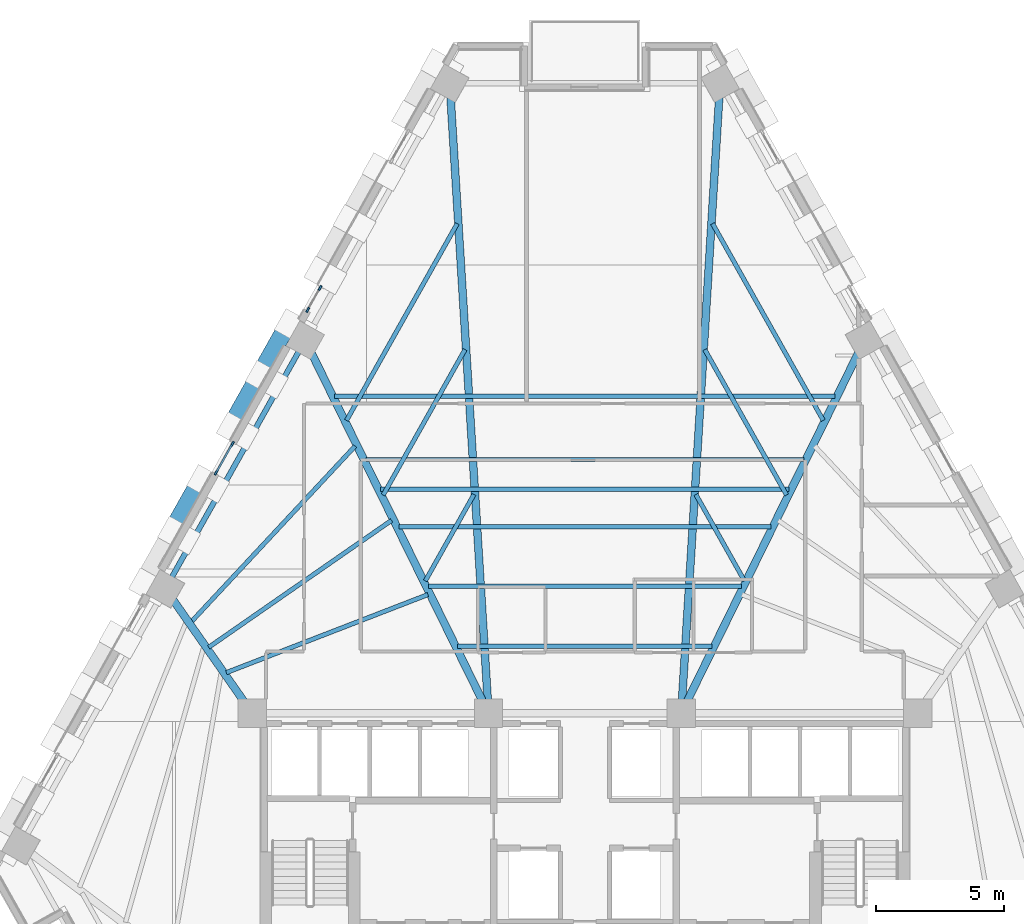
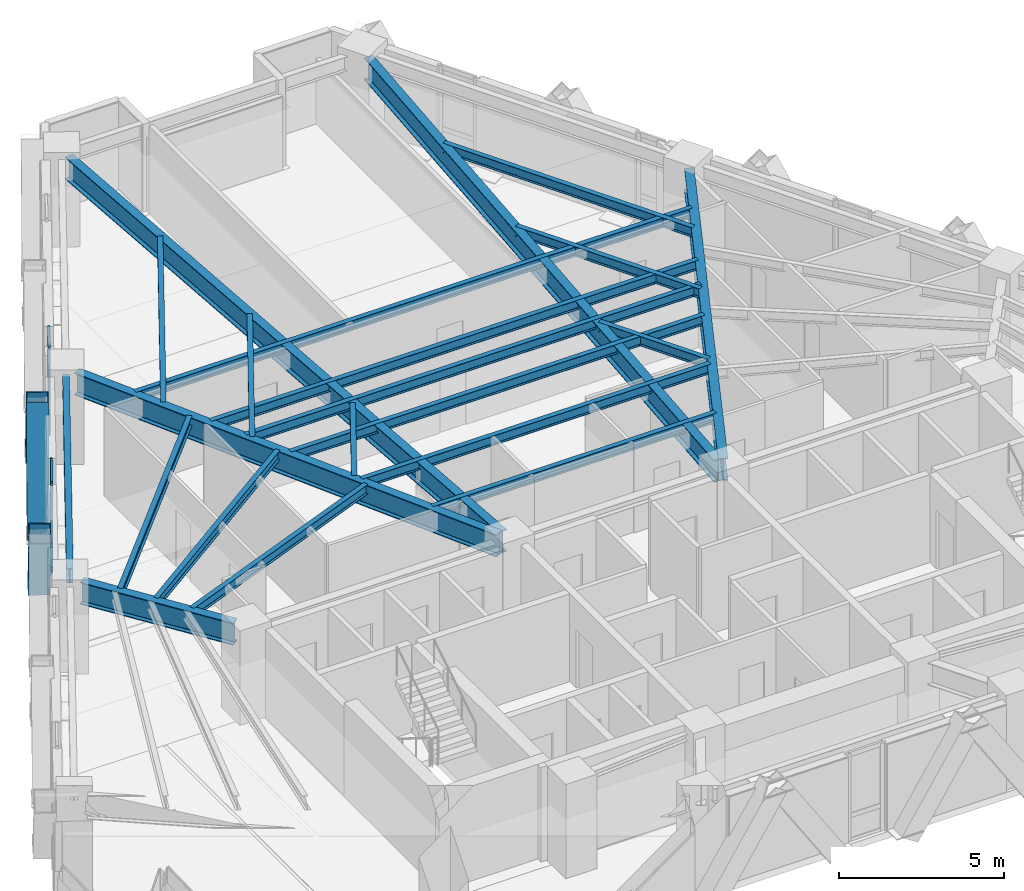
# One storey, part 3 of 13: 21 beams, 10 members, 2 elements without a shape of their own.
"""IFC4 building model written with IfcOpenShell, lengths in metres."""

from ifc_helpers import new_model, si_unit, direction, frame, origin, origin_2d, place, context, subcontext, project, spatial, rectangle, hollow_rectangle, i_section, extrude, material, material_profile, profile_set, type_object, element, aggregate, save


model = new_model("IFC4")

# Units and contexts
model_context = context("Model", 3, precision=1e-05, world=origin(), true_north=direction((0.0, 1.0)))
body_context = subcontext(model_context, "Body", "Model", "MODEL_VIEW")
ifc_project = project(units=[si_unit("LENGTHUNIT", "METRE"), si_unit("AREAUNIT", "SQUARE_METRE"), si_unit("VOLUMEUNIT", "CUBIC_METRE"), si_unit("PLANEANGLEUNIT", "RADIAN"), si_unit("MASSUNIT", "GRAM", prefix="KILO")], contexts=[model_context])

# Site, building, storey
site_placement = place(None, origin())
site = spatial("IfcSite", under=ifc_project, at=site_placement, CompositionType="ELEMENT")
building_placement = place(site_placement, origin())
building = spatial("IfcBuilding", under=site, at=building_placement, Name="Quenlor Broadcast Tower", CompositionType="ELEMENT")
storey_placement = place(building_placement, frame((0.0, 0.0, 95.0)))
storey = spatial("IfcBuildingStorey", under=building, at=storey_placement, Name="L25", CompositionType="ELEMENT", Elevation=95.0)

# Curtain wall, members
ifc_material_1 = material(Name="Architectural Terracotta and Low-E Glazing", Category="masonry")
curtain_wall_type = type_object("IfcCurtainWallType", Name="Unitised Terracotta Curtain Wall System Z2", PredefinedType="NOTDEFINED", material=ifc_material_1)
curtain_wall_1_placement = place(storey_placement, origin())
curtain_wall_1 = element("IfcCurtainWall", 1, at=curtain_wall_1_placement, inside=storey, type_object=curtain_wall_type, Name="L25 Curtain Wall CW2 (L25-NWC-G1)", PredefinedType="NOTDEFINED")
ifc_material_2 = material(Name="Aluminium 6063-T6", Category="aluminium")
ifc_material_profile_1 = material_profile(ifc_material_2, rectangle(XDim=0.074951171875, YDim=0.199951171875, at=origin_2d()))
ifc_profile_set_1 = profile_set([ifc_material_profile_1], Name="Aluminium 6063-T6 MULL75x200")
member_type_1 = type_object("IfcMemberType", Name="CW2 Aluminium Mullion MULL_CW2", PredefinedType="MULLION", material=ifc_profile_set_1)
member_1_placement = place(storey_placement, frame((-10.7880859375, 10.894775390625, 0.0), z_axis=(0.0, 0.0, 1.0), x_axis=(-0.871580587336, 0.490252261371, 0.0)))
member_1 = element("IfcMember", 2, at=member_1_placement, type_object=member_type_1, Name="CW2 mullion 1", PredefinedType="MULLION", context=body_context, shape_type="SweptSolid", body=[
    extrude(rectangle(XDim=0.074951171875, YDim=0.199951171875, at=origin_2d()), origin(), (0.0, 0.0, 1.0), 3.25),
])
member_2_placement = place(storey_placement, frame((-10.306396484375, 11.751220703125, 0.0), z_axis=(0.0, 0.0, 1.0), x_axis=(-0.871580587336, 0.490252261371, 0.0)))
member_2 = element("IfcMember", 3, at=member_2_placement, type_object=member_type_1, Name="CW2 mullion 2", PredefinedType="MULLION", context=body_context, shape_type="SweptSolid", body=[
    extrude(rectangle(XDim=0.074951171875, YDim=0.199951171875, at=origin_2d()), origin(), (0.0, 0.0, 1.0), 3.25),
])
aggregate(curtain_wall_1, [member_1, member_2])

curtain_wall_2_placement = place(storey_placement, origin())
curtain_wall_2 = element("IfcCurtainWall", 4, at=curtain_wall_2_placement, inside=storey, type_object=curtain_wall_type, Name="L25 Curtain Wall CW2 (L25-NW-G1)", PredefinedType="NOTDEFINED")
member_3_placement = place(storey_placement, frame((-14.3515625, 4.559814453125, 0.0), z_axis=(0.0, 0.0, 1.0), x_axis=(-0.871579452423, 0.490254279037, 0.0)))
member_3 = element("IfcMember", 5, at=member_3_placement, type_object=member_type_1, Name="CW2 mullion 1", PredefinedType="MULLION", context=body_context, shape_type="SweptSolid", body=[
    extrude(rectangle(XDim=0.074951171875, YDim=0.199951171875, at=origin_2d()), origin(), (0.0, 0.0, 1.0), 3.25),
])
member_4_placement = place(storey_placement, frame((-13.719482421875, 5.683349609375, 0.0), z_axis=(0.0, 0.0, 1.0), x_axis=(-0.871579452423, 0.490254279037, 0.0)))
member_4 = element("IfcMember", 6, at=member_4_placement, type_object=member_type_1, Name="CW2 mullion 2", PredefinedType="MULLION", context=body_context, shape_type="SweptSolid", body=[
    extrude(rectangle(XDim=0.074951171875, YDim=0.199951171875, at=origin_2d()), origin(), (0.0, 0.0, 1.0), 3.25),
])
ifc_material_3 = material(Name="Aluminium 6063-T6", Category="aluminium")
ifc_material_profile_2 = material_profile(ifc_material_3, rectangle(XDim=0.074951171875, YDim=0.1650390625, at=origin_2d()))
ifc_profile_set_2 = profile_set([ifc_material_profile_2], Name="Aluminium 6063-T6 TRAN75x165")
member_type_2 = type_object("IfcMemberType", Name="CW2 Aluminium Transom TRAN_CW2", PredefinedType="USERDEFINED", material=ifc_profile_set_2)
member_5_placement = place(storey_placement, frame((-14.333251953125, 4.592529296875, 0.03759765625), z_axis=(0.490433072585, 0.871478858788, 0.0), x_axis=(-0.871478858788, 0.490433072585, 0.0)))
member_5 = element("IfcMember", 7, at=member_5_placement, type_object=member_type_2, Name="CW2 transom 1.1", ObjectType="TRANSOM", PredefinedType="USERDEFINED", context=body_context, shape_type="SweptSolid", body=[
    extrude(rectangle(XDim=0.074951171875, YDim=0.1650390625, at=origin_2d()), origin(), (0.0, 0.0, 1.0), 1.214111328125),
])
member_6_placement = place(storey_placement, frame((-14.333251953125, 4.592529296875, 0.949951171875), z_axis=(0.490433072585, 0.871478858788, 0.0), x_axis=(-0.871478858788, 0.490433072585, 0.0)))
member_6 = element("IfcMember", 8, at=member_6_placement, type_object=member_type_2, Name="CW2 transom 1.2", ObjectType="TRANSOM", PredefinedType="USERDEFINED", context=body_context, shape_type="SweptSolid", body=[
    extrude(rectangle(XDim=0.074951171875, YDim=0.1650390625, at=origin_2d()), origin(), (0.0, 0.0, 1.0), 1.214111328125),
])
member_7_placement = place(storey_placement, frame((-14.333251953125, 4.592529296875, 3.21240234375), z_axis=(0.490433072585, 0.871478858788, 0.0), x_axis=(-0.871478858788, 0.490433072585, 0.0)))
member_7 = element("IfcMember", 9, at=member_7_placement, type_object=member_type_2, Name="CW2 transom 1.3", ObjectType="TRANSOM", PredefinedType="USERDEFINED", context=body_context, shape_type="SweptSolid", body=[
    extrude(rectangle(XDim=0.074951171875, YDim=0.1650390625, at=origin_2d()), origin(), (0.0, 0.0, 1.0), 1.214111328125),
])
aggregate(curtain_wall_2, [member_3, member_4, member_5, member_6, member_7])

# Members
ifc_material_4 = material(Name="Steel S355", Category="steel")
ifc_material_profile_3 = material_profile(ifc_material_4, hollow_rectangle(XDim=0.679931640625, YDim=0.679931640625, WallThickness=0.030029296875, at=origin_2d()))
ifc_profile_set_3 = profile_set([ifc_material_profile_3], Name="Steel S355 RHS680x680x30")
member_type_3 = type_object("IfcMemberType", Name="Perimeter Diagonal Lattice Brace Z2 Steel S355 RHS680x30", PredefinedType="BRACE", material=ifc_profile_set_3)
for number, where, z_axis, x_axis, name in (
    (10, (-13.80419921875, 6.338623046875, -0.1201171875), (0.268642373731, 0.477592925498, 0.83650240439), (-0.871578380919, 0.490256183964, 0.0), "L25 Perimeter Diamond Lattice NW-C3S"),
    (11, (-14.955322265625, 4.291748046875, -0.1201171875), (-0.268696511206, -0.477585438485, 0.836489290913), (0.871532878923, -0.490337068716, 0.0), "L25 Perimeter Diamond Lattice NW-C3B"),
):
    element("IfcMember", number, at=place(storey_placement, frame(where, z_axis=z_axis, x_axis=x_axis)), inside=storey, type_object=member_type_3, Name=name, PredefinedType="BRACE", context=body_context, shape_type="SweptSolid", body=[
        extrude(hollow_rectangle(XDim=0.679931640625, YDim=0.679931640625, WallThickness=0.030029296875, at=origin_2d()), origin(), (0.0, 0.0, 1.0), 4.18408203125),
    ])
member_8_placement = place(storey_placement, frame((-11.54248046875, 10.359619140625, -0.1201171875), z_axis=(-0.268634887212, -0.477637964099, 0.83647909276), x_axis=(0.871603971106, -0.490210686901, 0.0)))
element("IfcMember", 12, at=member_8_placement, inside=storey, type_object=member_type_3, Name="L25 Perimeter Diamond Lattice NW-C4B", PredefinedType="BRACE", context=body_context, shape_type="SweptSolid", body=[
    extrude(hollow_rectangle(XDim=0.679931640625, YDim=0.679931640625, WallThickness=0.030029296875, at=origin_2d()), origin(), (0.0, 0.0, 1.0), 4.184326171875),
])

# Beams
ifc_material_5 = material(Name="Steel S355", Category="steel")
ifc_material_profile_4 = material_profile(ifc_material_5, i_section(OverallWidth=0.208984375, OverallDepth=0.5283203125, WebThickness=0.009521484375, FlangeThickness=0.01318359375, FilletRadius=0.013916015625, at=origin_2d()))
ifc_profile_set_4 = profile_set([ifc_material_profile_4], Name="Steel S355 530UB82.0")
beam_type_1 = type_object("IfcBeamType", Name="Perimeter Spandrel Beam Z2 Steel S355 530UB82.0", PredefinedType="SPANDREL", material=ifc_profile_set_4)
beam_1_placement = place(storey_placement, frame((-11.087890625, 9.3623046875, 2.98583984375), z_axis=(-0.49026462139, -0.871573634878, 0.0), x_axis=(0.871573634878, -0.49026462139, 0.0)))
element("IfcBeam", 13, at=beam_1_placement, inside=storey, type_object=beam_type_1, Name="L25 Spandrel Beam NW2-NW3", PredefinedType="SPANDREL", context=body_context, shape_type="SweptSolid", body=[
    extrude(i_section(OverallWidth=0.208984375, OverallDepth=0.5283203125, WebThickness=0.009521484375, FlangeThickness=0.01318359375, FilletRadius=0.013916015625, at=origin_2d()), origin(), (0.0, 0.0, 1.0), 10.28271484375),
])
ifc_material_6 = material(Name="Steel S355", Category="steel")
ifc_material_profile_5 = material_profile(ifc_material_6, i_section(OverallWidth=0.300048828125, OverallDepth=0.81591796875, WebThickness=0.013916015625, FlangeThickness=0.028076171875, FilletRadius=0.013916015625, at=origin_2d()))
ifc_profile_set_5 = profile_set([ifc_material_profile_5], Name="Steel S355 800WB192")
beam_type_2 = type_object("IfcBeamType", Name="Sky Lobby Primary Girder Steel S355 800WB192", PredefinedType="BEAM", material=ifc_profile_set_5)
beam_2_placement = place(storey_placement, frame((10.7060546875, 9.351806640625, 2.842041015625), z_axis=(-0.441130328176, -0.897443053103, 0.0), x_axis=(0.897443053103, -0.441130328176, 0.0)))
element("IfcBeam", 14, at=beam_2_placement, inside=storey, type_object=beam_type_2, Name="L25 Primary Radial Beam NE3", PredefinedType="BEAM", context=body_context, shape_type="SweptSolid", body=[
    extrude(i_section(OverallWidth=0.300048828125, OverallDepth=0.81591796875, WebThickness=0.013916015625, FlangeThickness=0.028076171875, FilletRadius=0.013916015625, at=origin_2d()), origin(), (0.0, 0.0, 1.0), 15.38916015625),
])
for number, where, z_axis, x_axis, name in (
    (15, (5.237060546875, 19.309814453125, 2.842041015625), (-0.061559977358, -0.998103386022, 0.0), (0.998103386022, -0.061559977358, 0.0), "L25 Primary Radial Beam NE4"),
    (16, (-5.237060546875, 19.309814453125, 2.842041015625), (0.061559977358, -0.998103386022, 0.0), (0.998103386022, 0.061559977358, 0.0), "L25 Primary Radial Beam NW1"),
):
    element("IfcBeam", number, at=place(storey_placement, frame(where, z_axis=z_axis, x_axis=x_axis)), inside=storey, type_object=beam_type_2, Name=name, PredefinedType="BEAM", context=body_context, shape_type="SweptSolid", body=[
        extrude(i_section(OverallWidth=0.300048828125, OverallDepth=0.81591796875, WebThickness=0.013916015625, FlangeThickness=0.028076171875, FilletRadius=0.013916015625, at=origin_2d()), origin(), (0.0, 0.0, 1.0), 23.775634765625),
    ])
beam_3_placement = place(storey_placement, frame((-10.7060546875, 9.351806640625, 2.842041015625), z_axis=(0.441130328176, -0.897443053103, 0.0), x_axis=(0.897443053103, 0.441130328176, 0.0)))
element("IfcBeam", 17, at=beam_3_placement, inside=storey, type_object=beam_type_2, Name="L25 Primary Radial Beam NW2", PredefinedType="BEAM", context=body_context, shape_type="SweptSolid", body=[
    extrude(i_section(OverallWidth=0.300048828125, OverallDepth=0.81591796875, WebThickness=0.013916015625, FlangeThickness=0.028076171875, FilletRadius=0.013916015625, at=origin_2d()), origin(), (0.0, 0.0, 1.0), 15.38916015625),
])
beam_4_placement = place(storey_placement, frame((-16.095458984375, -0.293212890625, 2.842041015625), z_axis=(0.572337599985, -0.820018092266, 0.0), x_axis=(0.820018092266, 0.572337599985, 0.0)))
element("IfcBeam", 18, at=beam_4_placement, inside=storey, type_object=beam_type_2, Name="L25 Primary Radial Beam NW3", PredefinedType="BEAM", context=body_context, shape_type="SweptSolid", body=[
    extrude(i_section(OverallWidth=0.300048828125, OverallDepth=0.81591796875, WebThickness=0.013916015625, FlangeThickness=0.028076171875, FilletRadius=0.013916015625, at=origin_2d()), origin(), (0.0, 0.0, 1.0), 5.11572265625),
])
ifc_material_7 = material(Name="Steel S355", Category="steel")
ifc_material_profile_6 = material_profile(ifc_material_7, i_section(OverallWidth=0.172119140625, OverallDepth=0.358642578125, WebThickness=0.008056640625, FlangeThickness=0.012939453125, FilletRadius=0.011474609375, at=origin_2d()))
ifc_profile_set_6 = profile_set([ifc_material_profile_6], Name="Steel S355 360UB56.7")
beam_type_3 = type_object("IfcBeamType", Name="Tower Composite Joist Z2-Z3 Steel S355 360UB56.7", PredefinedType="JOIST", material=ifc_profile_set_6)
beam_5_placement = place(storey_placement, frame((-4.95458984375, -2.1865234375, 3.07080078125), z_axis=(1.0, 0.0, 0.0), x_axis=(0.0, 1.0, 0.0)))
element("IfcBeam", 19, at=beam_5_placement, inside=storey, type_object=beam_type_3, Name="L25 Secondary Composite Joist 1", PredefinedType="JOIST", context=body_context, shape_type="SweptSolid", body=[
    extrude(i_section(OverallWidth=0.172119140625, OverallDepth=0.358642578125, WebThickness=0.008056640625, FlangeThickness=0.012939453125, FilletRadius=0.011474609375, at=origin_2d()), origin(), (0.0, 0.0, 1.0), 9.9091796875),
])
beam_6_placement = place(storey_placement, frame((-7.9521484375, 3.911865234375, 3.07080078125), z_axis=(1.0, 0.0, 0.0), x_axis=(0.0, 1.0, 0.0)))
element("IfcBeam", 20, at=beam_6_placement, inside=storey, type_object=beam_type_3, Name="L25 Secondary Composite Joist 2", PredefinedType="JOIST", context=body_context, shape_type="SweptSolid", body=[
    extrude(i_section(OverallWidth=0.172119140625, OverallDepth=0.358642578125, WebThickness=0.008056640625, FlangeThickness=0.012939453125, FilletRadius=0.011474609375, at=origin_2d()), origin(), (0.0, 0.0, 1.0), 15.904296875),
])
beam_7_placement = place(storey_placement, frame((-6.096435546875, 0.13671875, 3.07080078125), z_axis=(1.0, 0.0, 0.0), x_axis=(0.0, 1.0, 0.0)))
element("IfcBeam", 21, at=beam_7_placement, inside=storey, type_object=beam_type_3, Name="L25 Secondary Composite Joist 3", PredefinedType="JOIST", context=body_context, shape_type="SweptSolid", body=[
    extrude(i_section(OverallWidth=0.172119140625, OverallDepth=0.358642578125, WebThickness=0.008056640625, FlangeThickness=0.012939453125, FilletRadius=0.011474609375, at=origin_2d()), origin(), (0.0, 0.0, 1.0), 12.19287109375),
])
beam_8_placement = place(storey_placement, frame((-7.238525390625, 2.4599609375, 3.07080078125), z_axis=(1.0, 0.0, 0.0), x_axis=(0.0, 1.0, 0.0)))
element("IfcBeam", 22, at=beam_8_placement, inside=storey, type_object=beam_type_3, Name="L25 Secondary Composite Joist 4", PredefinedType="JOIST", context=body_context, shape_type="SweptSolid", body=[
    extrude(i_section(OverallWidth=0.172119140625, OverallDepth=0.358642578125, WebThickness=0.008056640625, FlangeThickness=0.012939453125, FilletRadius=0.011474609375, at=origin_2d()), origin(), (0.0, 0.0, 1.0), 14.47705078125),
])
beam_9_placement = place(storey_placement, frame((-8.523193359375, 5.073486328125, 3.07080078125), z_axis=(1.0, 0.0, 0.0), x_axis=(0.0, 1.0, 0.0)))
element("IfcBeam", 23, at=beam_9_placement, inside=storey, type_object=beam_type_3, Name="L25 Secondary Composite Joist 5", PredefinedType="JOIST", context=body_context, shape_type="SweptSolid", body=[
    extrude(i_section(OverallWidth=0.172119140625, OverallDepth=0.358642578125, WebThickness=0.008056640625, FlangeThickness=0.012939453125, FilletRadius=0.011474609375, at=origin_2d()), origin(), (0.0, 0.0, 1.0), 17.04638671875),
])
beam_10_placement = place(storey_placement, frame((-9.736328125, 7.541748046875, 3.07080078125), z_axis=(1.0, 0.0, 0.0), x_axis=(0.0, 1.0, 0.0)))
element("IfcBeam", 24, at=beam_10_placement, inside=storey, type_object=beam_type_3, Name="L25 Secondary Composite Joist 6", PredefinedType="JOIST", context=body_context, shape_type="SweptSolid", body=[
    extrude(i_section(OverallWidth=0.172119140625, OverallDepth=0.358642578125, WebThickness=0.008056640625, FlangeThickness=0.012939453125, FilletRadius=0.011474609375, at=origin_2d()), origin(), (0.0, 0.0, 1.0), 19.47265625),
])
beam_11_placement = place(storey_placement, frame((-13.95703125, -3.221435546875, 3.07080078125), z_axis=(0.932542579586, 0.361060018916, 0.0), x_axis=(-0.361060018916, 0.932542579586, 0.0)))
element("IfcBeam", 25, at=beam_11_placement, inside=storey, type_object=beam_type_3, Name="L25 Secondary Composite Joist 7", PredefinedType="JOIST", context=body_context, shape_type="SweptSolid", body=[
    extrude(i_section(OverallWidth=0.172119140625, OverallDepth=0.358642578125, WebThickness=0.008056640625, FlangeThickness=0.012939453125, FilletRadius=0.011474609375, at=origin_2d()), origin(), (0.0, 0.0, 1.0), 8.416259765625),
])
beam_12_placement = place(storey_placement, frame((-14.641845703125, -2.236083984375, 3.07080078125), z_axis=(0.821385737622, 0.570373097219, 0.0), x_axis=(-0.570373097219, 0.821385737622, 0.0)))
element("IfcBeam", 26, at=beam_12_placement, inside=storey, type_object=beam_type_3, Name="L25 Secondary Composite Joist 8", PredefinedType="JOIST", context=body_context, shape_type="SweptSolid", body=[
    extrude(i_section(OverallWidth=0.172119140625, OverallDepth=0.358642578125, WebThickness=0.008056640625, FlangeThickness=0.012939453125, FilletRadius=0.011474609375, at=origin_2d()), origin(), (0.0, 0.0, 1.0), 8.662109375),
])
beam_13_placement = place(storey_placement, frame((-15.3291015625, -1.254638671875, 3.07080078125), z_axis=(0.681880655944, 0.73146344478, 0.0), x_axis=(-0.73146344478, 0.681880655944, 0.0)))
element("IfcBeam", 27, at=beam_13_placement, inside=storey, type_object=beam_type_3, Name="L25 Secondary Composite Joist 9", PredefinedType="JOIST", context=body_context, shape_type="SweptSolid", body=[
    extrude(i_section(OverallWidth=0.172119140625, OverallDepth=0.358642578125, WebThickness=0.008056640625, FlangeThickness=0.012939453125, FilletRadius=0.011474609375, at=origin_2d()), origin(), (0.0, 0.0, 1.0), 9.365234375),
])
beam_14_placement = place(storey_placement, frame((-4.318603515625, 3.7119140625, 3.07080078125), z_axis=(-0.49024921379, -0.871582301552, 0.0), x_axis=(0.871582301552, -0.49024921379, 0.0)))
element("IfcBeam", 28, at=beam_14_placement, inside=storey, type_object=beam_type_3, Name="L25 Secondary Composite Joist 25", PredefinedType="JOIST", context=body_context, shape_type="SweptSolid", body=[
    extrude(i_section(OverallWidth=0.172119140625, OverallDepth=0.358642578125, WebThickness=0.008056640625, FlangeThickness=0.012939453125, FilletRadius=0.011474609375, at=origin_2d()), origin(), (0.0, 0.0, 1.0), 3.85546875),
])
beam_15_placement = place(storey_placement, frame((-4.66650390625, 9.351318359375, 3.07080078125), z_axis=(-0.490232680913, -0.871591600789, 0.0), x_axis=(0.871591600789, -0.490232680913, 0.0)))
element("IfcBeam", 29, at=beam_15_placement, inside=storey, type_object=beam_type_3, Name="L25 Secondary Composite Joist 26", PredefinedType="JOIST", context=body_context, shape_type="SweptSolid", body=[
    extrude(i_section(OverallWidth=0.172119140625, OverallDepth=0.358642578125, WebThickness=0.008056640625, FlangeThickness=0.012939453125, FilletRadius=0.011474609375, at=origin_2d()), origin(), (0.0, 0.0, 1.0), 6.494140625),
])
beam_16_placement = place(storey_placement, frame((-4.96875, 14.255126953125, 3.07080078125), z_axis=(-0.490273109583, -0.871568860171, 0.0), x_axis=(0.871568860171, -0.490273109583, 0.0)))
element("IfcBeam", 30, at=beam_16_placement, inside=storey, type_object=beam_type_3, Name="L25 Secondary Composite Joist 27", PredefinedType="JOIST", context=body_context, shape_type="SweptSolid", body=[
    extrude(i_section(OverallWidth=0.172119140625, OverallDepth=0.358642578125, WebThickness=0.008056640625, FlangeThickness=0.012939453125, FilletRadius=0.011474609375, at=origin_2d()), origin(), (0.0, 0.0, 1.0), 8.78857421875),
])
beam_17_placement = place(storey_placement, frame((4.318603515625, 3.7119140625, 3.07080078125), z_axis=(0.49024921379, -0.871582301552, 0.0), x_axis=(0.871582301552, 0.49024921379, 0.0)))
element("IfcBeam", 31, at=beam_17_placement, inside=storey, type_object=beam_type_3, Name="L25 Secondary Composite Joist 28", PredefinedType="JOIST", context=body_context, shape_type="SweptSolid", body=[
    extrude(i_section(OverallWidth=0.172119140625, OverallDepth=0.358642578125, WebThickness=0.008056640625, FlangeThickness=0.012939453125, FilletRadius=0.011474609375, at=origin_2d()), origin(), (0.0, 0.0, 1.0), 3.85546875),
])
beam_18_placement = place(storey_placement, frame((4.66650390625, 9.351318359375, 3.07080078125), z_axis=(0.490232680913, -0.871591600789, 0.0), x_axis=(0.871591600789, 0.490232680913, 0.0)))
element("IfcBeam", 32, at=beam_18_placement, inside=storey, type_object=beam_type_3, Name="L25 Secondary Composite Joist 29", PredefinedType="JOIST", context=body_context, shape_type="SweptSolid", body=[
    extrude(i_section(OverallWidth=0.172119140625, OverallDepth=0.358642578125, WebThickness=0.008056640625, FlangeThickness=0.012939453125, FilletRadius=0.011474609375, at=origin_2d()), origin(), (0.0, 0.0, 1.0), 6.494140625),
])
beam_19_placement = place(storey_placement, frame((4.96875, 14.255126953125, 3.07080078125), z_axis=(0.490273109583, -0.871568860171, 0.0), x_axis=(0.871568860171, 0.490273109583, 0.0)))
element("IfcBeam", 33, at=beam_19_placement, inside=storey, type_object=beam_type_3, Name="L25 Secondary Composite Joist 30", PredefinedType="JOIST", context=body_context, shape_type="SweptSolid", body=[
    extrude(i_section(OverallWidth=0.172119140625, OverallDepth=0.358642578125, WebThickness=0.008056640625, FlangeThickness=0.012939453125, FilletRadius=0.011474609375, at=origin_2d()), origin(), (0.0, 0.0, 1.0), 8.78857421875),
])

save(model, "model.ifc")
